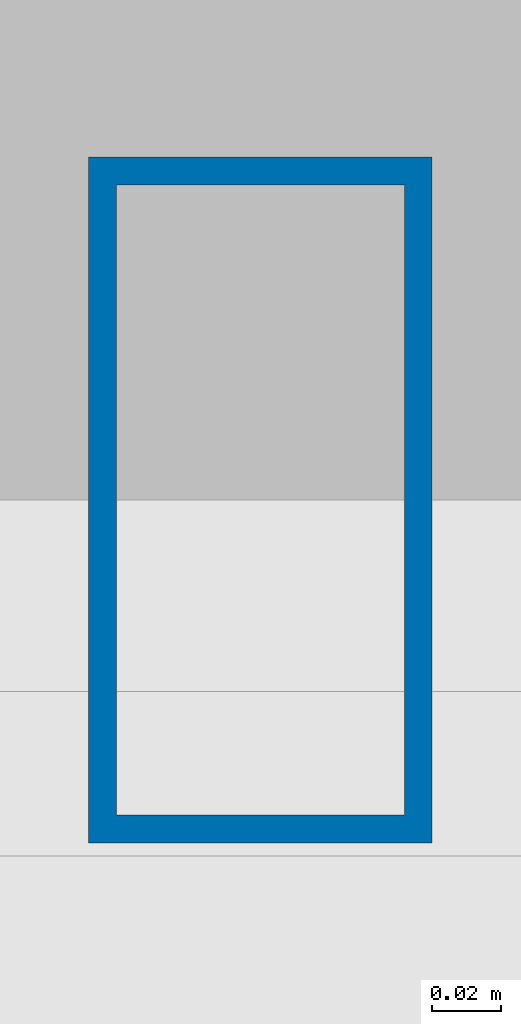
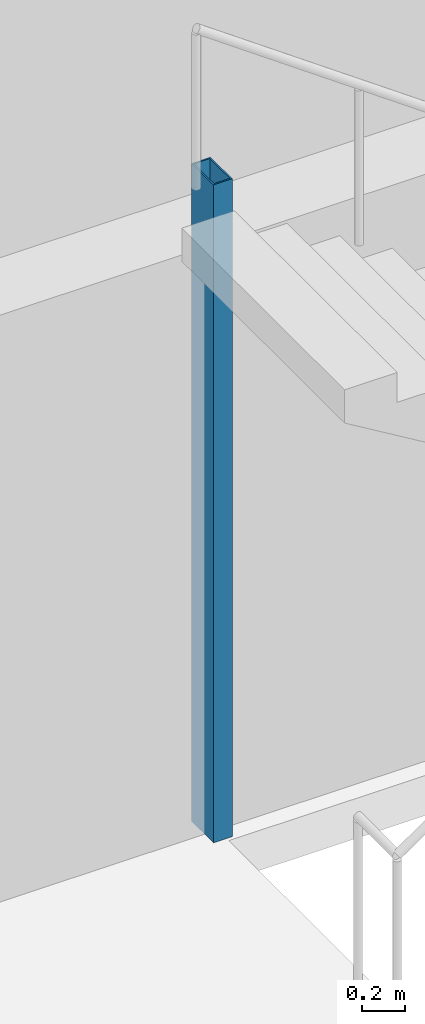
# One storey, part 2 of 18: 1 column.
"""IFC4 building model written with IfcOpenShell, lengths in metres."""

from ifc_helpers import new_model, si_unit, direction, frame, origin, origin_2d, place, context, subcontext, project, spatial, hollow_rectangle, extrude, material, material_profile, profile_set, type_object, element, save


model = new_model("IFC4")

# Units and contexts
model_context = context("Model", 3, precision=1e-05, world=origin(), true_north=direction((0.0, 1.0)))
body_context = subcontext(model_context, "Body", "Model", "MODEL_VIEW")
ifc_project = project(units=[si_unit("LENGTHUNIT", "METRE"), si_unit("AREAUNIT", "SQUARE_METRE"), si_unit("VOLUMEUNIT", "CUBIC_METRE"), si_unit("PLANEANGLEUNIT", "RADIAN"), si_unit("MASSUNIT", "GRAM", prefix="KILO")], contexts=[model_context])

# Site, building, storey
site_placement = place(None, origin())
site = spatial("IfcSite", under=ifc_project, at=site_placement, CompositionType="ELEMENT")
building_placement = place(site_placement, origin())
building = spatial("IfcBuilding", under=site, at=building_placement, Name="Menara Jurai Vektor", CompositionType="ELEMENT")
storey_placement = place(building_placement, frame((0.0, 0.0, 139.199951171875)))
storey = spatial("IfcBuildingStorey", under=building, at=storey_placement, Name="L35", CompositionType="ELEMENT", Elevation=139.199951171875)

# Column
ifc_material = material(Name="Steel S355", Category="steel")
ifc_material_profile = material_profile(ifc_material, hollow_rectangle(XDim=0.10009765625, YDim=0.199951171875, WallThickness=0.008056640625, at=origin_2d()), Name="RHS 200x100x8")
ifc_profile_set = profile_set([ifc_material_profile], Name="Steel S355")
column_type = type_object("IfcColumnType", Name="STR-COL-STAIR", PredefinedType="COLUMN", material=ifc_profile_set)
column_placement = place(storey_placement, frame((-11.1201171875, 5.419921875, 0.0), z_axis=(0.0, 0.0, 1.0), x_axis=(1.0, 0.0, 0.0)))
element("IfcColumn", 1, at=column_placement, inside=storey, type_object=column_type, Name="Stair Well Header Column ST1-P2 L35", PredefinedType="COLUMN", context=body_context, shape_type="SweptSolid", body=[
    extrude(hollow_rectangle(XDim=0.10009765625, YDim=0.199951171875, WallThickness=0.008056640625, at=origin_2d()), origin(), (0.0, 0.0, 1.0), 3.699951171875),
])

save(model, "model.ifc")
